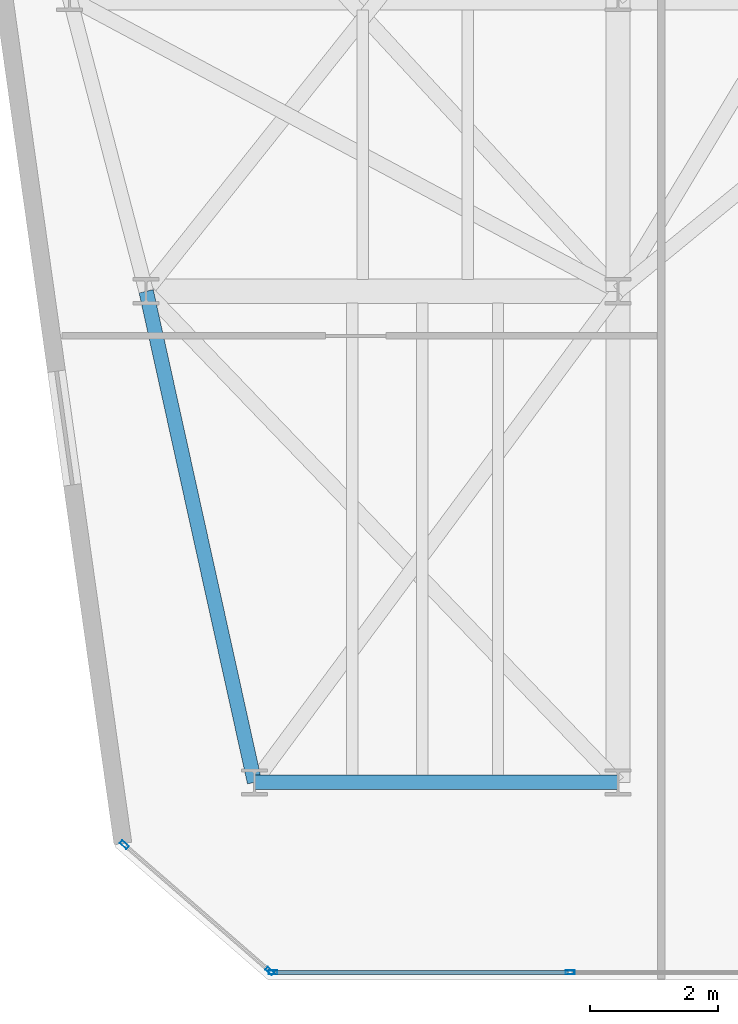
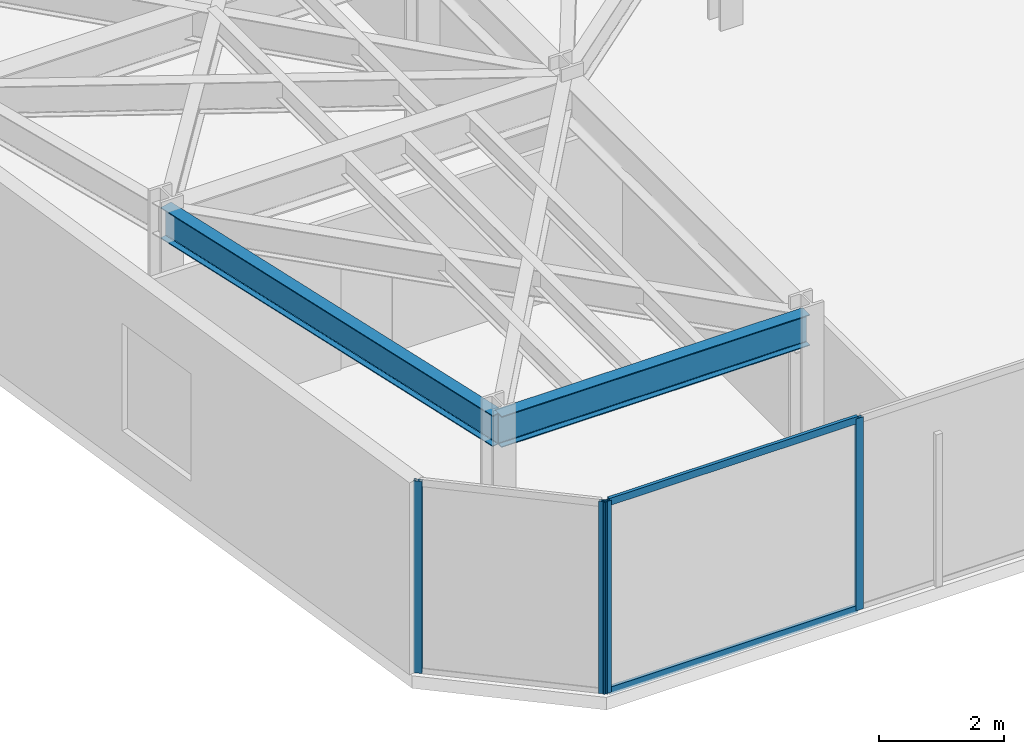
# One storey, part 2 of 21: 6 members, 2 beams, 2 elements without a shape of their own.
"""IFC4 building model written with IfcOpenShell, lengths in metres."""

from ifc_helpers import new_model, si_unit, direction, frame, origin, origin_2d, place, context, subcontext, project, spatial, hollow_rectangle, i_section, extrude, material, layer, layer_set, material_profile, profile_set, type_object, element, aggregate, save


model = new_model("IFC4")

# Units and contexts
model_context = context("Model", 3, precision=1e-05, world=origin(), true_north=direction((0.0, 1.0)))
body_context = subcontext(model_context, "Body", "Model", "MODEL_VIEW")
ifc_project = project(units=[si_unit("LENGTHUNIT", "METRE"), si_unit("AREAUNIT", "SQUARE_METRE"), si_unit("VOLUMEUNIT", "CUBIC_METRE"), si_unit("PLANEANGLEUNIT", "RADIAN"), si_unit("MASSUNIT", "GRAM", prefix="KILO")], contexts=[model_context])

# Site, building, storey
site_placement = place(None, origin())
site = spatial("IfcSite", under=ifc_project, at=site_placement, CompositionType="ELEMENT")
building_placement = place(site_placement, origin())
building = spatial("IfcBuilding", under=site, at=building_placement, Name="Kravanh Interchange Tower", CompositionType="ELEMENT")
storey_placement = place(building_placement, frame((0.0, 0.0, 176.5)))
storey = spatial("IfcBuildingStorey", under=building, at=storey_placement, Name="L42", CompositionType="ELEMENT", Elevation=176.5)

# Curtain wall, members
ifc_material_1 = material(Name="Anodised Bronze Aluminium", Category="aluminium")
ifc_layer = layer(ifc_material_1, 0.179931640625)
ifc_layer_set = layer_set([ifc_layer], Name="Unitised Curtain Wall System CW-Z3 Upper Office")
curtain_wall_type = type_object("IfcCurtainWallType", Name="Unitised Curtain Wall System CW-Z3 Upper Office", PredefinedType="NOTDEFINED", material=ifc_layer_set)
curtain_wall_1_placement = place(storey_placement, origin())
curtain_wall_1 = element("IfcCurtainWall", 1, at=curtain_wall_1_placement, inside=storey, type_object=curtain_wall_type, Name="L42 Unitised Curtain Wall CW-L42-05", PredefinedType="NOTDEFINED")
ifc_material_2 = material(Name="Anodised Bronze Aluminium", Category="aluminium")
ifc_material_profile_1 = material_profile(ifc_material_2, hollow_rectangle(XDim=0.06005859375, YDim=0.139892578125, WallThickness=0.00390625, at=origin_2d()), Name="ALU60X140X4")
ifc_profile_set_1 = profile_set([ifc_material_profile_1], Name="Anodised Bronze Aluminium")
member_type_1 = type_object("IfcMemberType", Name="Curtain Wall Mullion ALU60X140X4 Bronze", PredefinedType="MULLION", material=ifc_profile_set_1)
member_1_placement = place(storey_placement, frame((26.447998046875, 11.52001953125, 0.0), z_axis=(0.0, 0.0, 1.0), x_axis=(0.0, -1.0, 0.0)))
member_1 = element("IfcMember", 2, at=member_1_placement, type_object=member_type_1, Name="CW-Z3 mullion 2", PredefinedType="MULLION", context=body_context, shape_type="SweptSolid", body=[
    extrude(hollow_rectangle(XDim=0.06005859375, YDim=0.139892578125, WallThickness=0.00390625, at=origin_2d()), origin(), (0.0, 0.0, 1.0), 3.7548828125),
])
member_2_placement = place(storey_placement, frame((21.7890625, 11.52001953125, 0.0), z_axis=(0.0, 0.0, 1.0), x_axis=(0.0, -1.0, 0.0)))
member_2 = element("IfcMember", 3, at=member_2_placement, type_object=member_type_1, Name="CW-Z3 mullion 3", PredefinedType="MULLION", context=body_context, shape_type="SweptSolid", body=[
    extrude(hollow_rectangle(XDim=0.06005859375, YDim=0.139892578125, WallThickness=0.00390625, at=origin_2d()), origin(), (0.0, 0.0, 1.0), 3.7548828125),
])

curtain_wall_2_placement = place(storey_placement, origin())
curtain_wall_2 = element("IfcCurtainWall", 4, at=curtain_wall_2_placement, inside=storey, type_object=curtain_wall_type, Name="L42 Unitised Curtain Wall CW-L42-06", PredefinedType="NOTDEFINED")
member_3_placement = place(storey_placement, frame((21.736328125, 11.539794921875, 0.0), z_axis=(0.0, 0.0, 1.0), x_axis=(-0.65605090137, -0.754716645379, 0.0)))
member_3 = element("IfcMember", 5, at=member_3_placement, type_object=member_type_1, Name="CW-Z3 mullion 1", PredefinedType="MULLION", context=body_context, shape_type="SweptSolid", body=[
    extrude(hollow_rectangle(XDim=0.06005859375, YDim=0.139892578125, WallThickness=0.00390625, at=origin_2d()), origin(), (0.0, 0.0, 1.0), 3.7548828125),
])
member_4_placement = place(storey_placement, frame((19.45703125, 13.52099609375, 0.0), z_axis=(0.0, 0.0, 1.0), x_axis=(-0.65605090137, -0.754716645379, 0.0)))
member_4 = element("IfcMember", 6, at=member_4_placement, type_object=member_type_1, Name="CW-Z3 mullion 2", PredefinedType="MULLION", context=body_context, shape_type="SweptSolid", body=[
    extrude(hollow_rectangle(XDim=0.06005859375, YDim=0.139892578125, WallThickness=0.00390625, at=origin_2d()), origin(), (0.0, 0.0, 1.0), 3.7548828125),
])
aggregate(curtain_wall_2, [member_3, member_4])

# Member
ifc_material_3 = material(Name="Anodised Bronze Aluminium", Category="aluminium")
ifc_material_profile_2 = material_profile(ifc_material_3, hollow_rectangle(XDim=0.06005859375, YDim=0.139892578125, WallThickness=0.00390625, at=origin_2d()), Name="ALU60X140X4")
ifc_profile_set_2 = profile_set([ifc_material_profile_2], Name="Anodised Bronze Aluminium")
member_type_2 = type_object("IfcMemberType", Name="Curtain Wall Transom ALU60X140X4 Bronze", PredefinedType="USERDEFINED", material=ifc_profile_set_2)
member_5_placement = place(storey_placement, frame((26.41796875, 11.52001953125, 0.030029296875), z_axis=(-1.0, 0.0, 0.0), x_axis=(0.0, -1.0, 0.0)))
member_5 = element("IfcMember", 7, at=member_5_placement, type_object=member_type_2, Name="CW-Z3 transom 2.1", ObjectType="TRANSOM", PredefinedType="USERDEFINED", context=body_context, shape_type="SweptSolid", body=[
    extrude(hollow_rectangle(XDim=0.06005859375, YDim=0.139892578125, WallThickness=0.00390625, at=origin_2d()), origin(), (0.0, 0.0, 1.0), 4.598876953125),
])

member_6_placement = place(storey_placement, frame((26.41796875, 11.52001953125, 3.72509765625), z_axis=(-1.0, 0.0, 0.0), x_axis=(0.0, -1.0, 0.0)))
member_6 = element("IfcMember", 8, at=member_6_placement, type_object=member_type_2, Name="CW-Z3 transom 2.2", ObjectType="TRANSOM", PredefinedType="USERDEFINED", context=body_context, shape_type="SweptSolid", body=[
    extrude(hollow_rectangle(XDim=0.06005859375, YDim=0.139892578125, WallThickness=0.00390625, at=origin_2d()), origin(), (0.0, 0.0, 1.0), 4.598876953125),
])

aggregate(curtain_wall_1, [member_1, member_2, member_5, member_6])

# Beams
ifc_material_4 = material(Name="Structural Steel S355", Category="steel")
ifc_material_profile_3 = material_profile(ifc_material_4, i_section(OverallWidth=0.22802734375, OverallDepth=0.60791015625, WebThickness=0.01123046875, FlangeThickness=0.017333984375, FilletRadius=0.02197265625, at=origin_2d()), Name="W24X76")
ifc_profile_set_3 = profile_set([ifc_material_profile_3], Name="Structural Steel S355")
beam_type = type_object("IfcBeamType", Name="Floor Spandrel W24X76 Structural Steel S355", PredefinedType="SPANDREL", material=ifc_profile_set_3)
beam_1_placement = place(storey_placement, frame((21.5, 14.5, 3.450927734375), z_axis=(1.0, 0.0, 0.0), x_axis=(0.0, 1.0, 0.0)))
element("IfcBeam", 9, at=beam_1_placement, inside=storey, type_object=beam_type, Name="L42 Perimeter Spandrel 30", PredefinedType="SPANDREL", context=body_context, shape_type="SweptSolid", body=[
    extrude(i_section(OverallWidth=0.22802734375, OverallDepth=0.60791015625, WebThickness=0.01123046875, FlangeThickness=0.017333984375, FilletRadius=0.02197265625, at=origin_2d()), origin(), (0.0, 0.0, 1.0), 5.699951171875),
])
beam_2_placement = place(storey_placement, frame((21.5, 14.5, 3.450927734375), z_axis=(-0.215582892261, 0.976485543449, 0.0), x_axis=(-0.976485543449, -0.215582892261, 0.0)))
element("IfcBeam", 10, at=beam_2_placement, inside=storey, type_object=beam_type, Name="L42 Perimeter Spandrel 31", PredefinedType="SPANDREL", context=body_context, shape_type="SweptSolid", body=[
    extrude(i_section(OverallWidth=0.22802734375, OverallDepth=0.60791015625, WebThickness=0.01123046875, FlangeThickness=0.017333984375, FilletRadius=0.02197265625, at=origin_2d()), origin(), (0.0, 0.0, 1.0), 7.88525390625),
])

save(model, "model.ifc")
